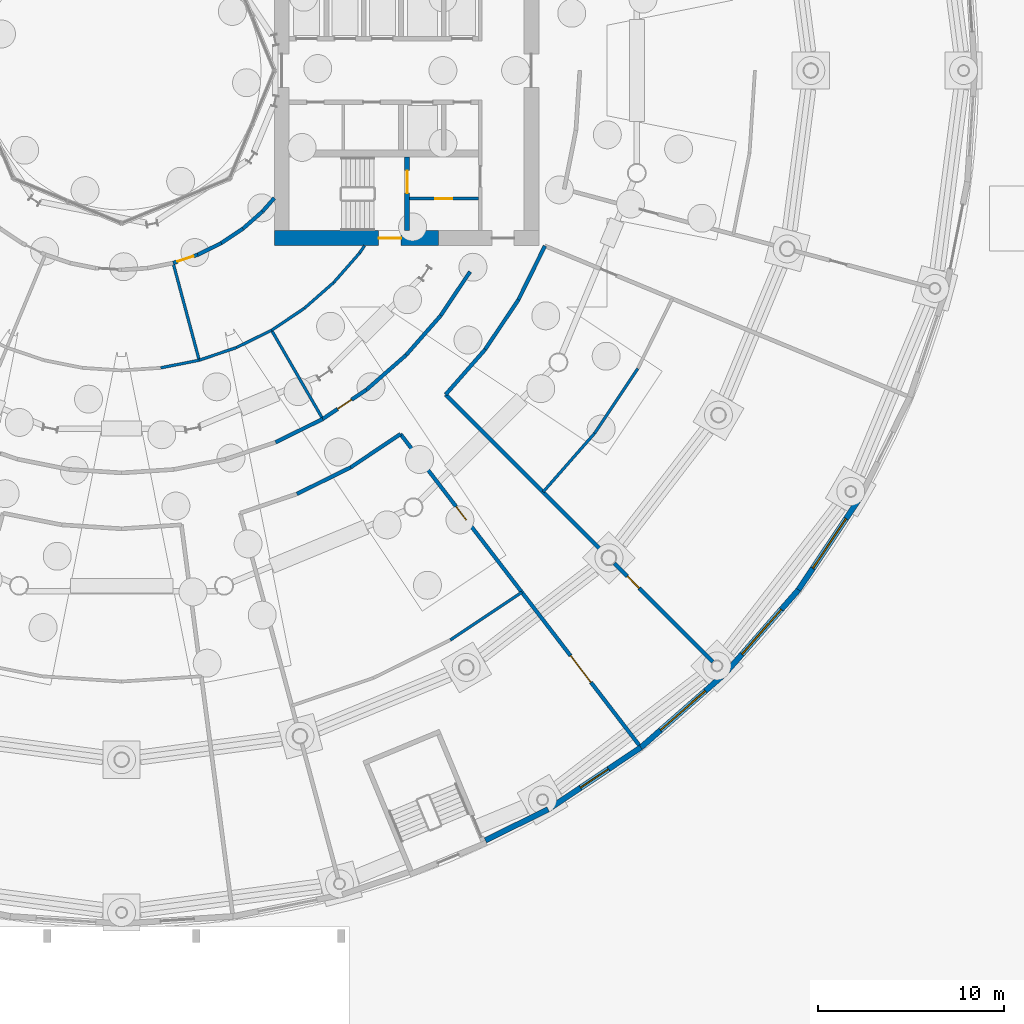
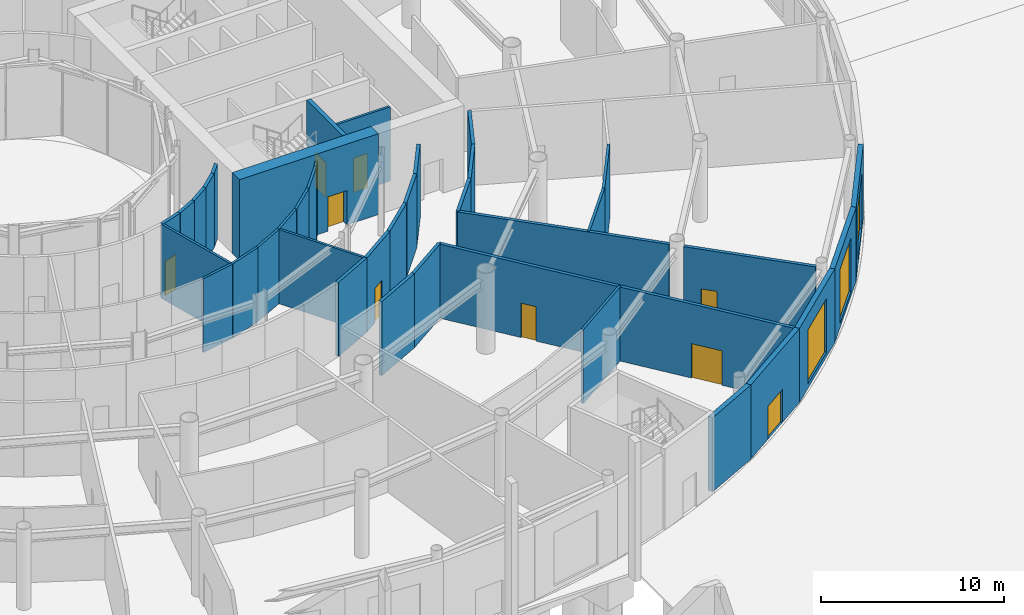
# One storey, part 20 of 41: 38 walls, 9 doors, 3 windows, 12 openings.
"""IFC4 building model written with IfcOpenShell, lengths in metres."""

from ifc_helpers import new_model, si_unit, direction, frame, frame_2d, origin, place, context, subcontext, project, spatial, rectangle, extrude, material, layer, layer_set, type_object, element, fill, save


model = new_model("IFC4")

# Units and contexts
model_context = context("Model", 3, precision=1e-05, world=origin(), true_north=direction((0.0, 1.0)))
body_context = subcontext(model_context, "Body", "Model", "MODEL_VIEW")
ifc_project = project(units=[si_unit("LENGTHUNIT", "METRE"), si_unit("AREAUNIT", "SQUARE_METRE"), si_unit("VOLUMEUNIT", "CUBIC_METRE"), si_unit("PLANEANGLEUNIT", "RADIAN"), si_unit("MASSUNIT", "GRAM", prefix="KILO")], contexts=[model_context])

# Site, building, storey
site_placement = place(None, origin())
site = spatial("IfcSite", under=ifc_project, at=site_placement, CompositionType="ELEMENT")
building_placement = place(site_placement, origin())
building = spatial("IfcBuilding", under=site, at=building_placement, Name="Maasbend Ring Residences", CompositionType="ELEMENT")
storey_placement = place(building_placement, origin())
storey = spatial("IfcBuildingStorey", under=building, at=storey_placement, Name="L00", CompositionType="ELEMENT", Elevation=0.0)

# Wall, opening, door
ifc_material_1 = material(Name="Concrete C70/85", Category="concrete")
ifc_layer_1 = layer(ifc_material_1, 0.25)
ifc_layer_set_1 = layer_set([ifc_layer_1], Name="Concrete C70/85")
wall_type_1 = type_object("IfcWallType", Name="CORE WALL 250 C70/85", PredefinedType="SHEAR", material=ifc_layer_set_1)
wall_1_placement = place(storey_placement, frame((15.324951171875, -8.60009765625, 0.0), z_axis=(0.0, 0.0, 1.0), x_axis=(0.0, 1.0, 0.0)))
wall_1 = element("IfcWall", 1, at=wall_1_placement, inside=storey, type_object=wall_type_1, Name="L00 core E wall STES", PredefinedType="SHEAR", context=body_context, shape_type="SweptSolid", body=[
    extrude(rectangle(XDim=3.9501953125, YDim=0.25, at=frame_2d((1.97509765625, 0.0))), origin(), (0.0, 0.0, 1.0), 5.39990234375),
])
opening_1_placement = place(wall_1_placement, frame((2.02490234375, 0.0, 0.0)))
opening_1 = element("IfcOpeningElement", 2, at=opening_1_placement, cuts=wall_1, Name="Opening D-E0012", PredefinedType="OPENING", context=body_context, shape_type="SweptSolid", body=[
    extrude(rectangle(XDim=1.199951171875, YDim=2.300048828125, at=frame_2d((0.60009765625, 1.14990234375))), frame((0.0, 0.135009765625, 0.0), z_axis=(0.0, -1.0, 0.0), x_axis=(1.0, 0.0, 0.0)), (0.0, 0.0, 1.0), 0.27001953125),
])
ifc_material_2 = material(Name="Steel, powder coated", Category="steel")
door_type_1 = type_object("IfcDoorType", Name="STAIR DOOR 1200 X 2300 FD60", OperationType="NOTDEFINED", PredefinedType="DOOR", material=ifc_material_2)
door_1_placement = place(opening_1_placement, origin())
door_1 = element("IfcDoor", 3, at=door_1_placement, inside=storey, type_object=door_type_1, Name="Stair door ST-E L00", OperationType="SINGLE_SWING_LEFT", OverallHeight=2.300048828125, OverallWidth=1.199951171875, PredefinedType="DOOR", context=body_context, shape_type="SweptSolid", body=[
    extrude(rectangle(XDim=1.199951171875, YDim=2.300048828125, at=frame_2d((0.60009765625, 1.14990234375))), frame((0.0, 0.02490234375, 0.0), z_axis=(0.0, -1.0, 0.0), x_axis=(1.0, 0.0, 0.0)), (0.0, 0.0, 1.0), 0.050048828125),
])
fill(opening_1, door_1)

ifc_material_3 = material(Name="Concrete C70/85", Category="concrete")
ifc_layer_2 = layer(ifc_material_3, 0.800048828125)
ifc_layer_set_2 = layer_set([ifc_layer_2], Name="Concrete C70/85")
wall_type_2 = type_object("IfcWallType", Name="CORE WALL 800 C70/85", PredefinedType="SHEAR", material=ifc_layer_set_2)
wall_2_placement = place(storey_placement, frame((17.0, -9.0, 0.0), z_axis=(0.0, 0.0, 1.0), x_axis=(-1.0, 0.0, 0.0)))
wall_2 = element("IfcWall", 4, at=wall_2_placement, inside=storey, type_object=wall_type_2, Name="L00 core E wall PSA", PredefinedType="SHEAR", context=body_context, shape_type="SweptSolid", body=[
    extrude(rectangle(XDim=8.800048828125, YDim=0.800048828125, at=frame_2d((4.39990234375, 0.0))), origin(), (0.0, 0.0, 1.0), 5.39990234375),
])
opening_2_placement = place(wall_2_placement, frame((2.0, 0.0, 0.0)))
opening_2 = element("IfcOpeningElement", 5, at=opening_2_placement, cuts=wall_2, Name="Opening D-E0020", PredefinedType="OPENING", context=body_context, shape_type="SweptSolid", body=[
    extrude(rectangle(XDim=1.199951171875, YDim=2.300048828125, at=frame_2d((0.60009765625, 1.14990234375))), frame((0.0, 0.41015625, 0.0), z_axis=(0.0, -1.0, 0.0), x_axis=(1.0, 0.0, 0.0)), (0.0, 0.0, 1.0), 0.820068359375),
])
door_2_placement = place(opening_2_placement, origin())
door_2 = element("IfcDoor", 6, at=door_2_placement, inside=storey, type_object=door_type_1, Name="Stair door ST-E L00", OperationType="SINGLE_SWING_RIGHT", OverallHeight=2.300048828125, OverallWidth=1.199951171875, PredefinedType="DOOR", context=body_context, shape_type="SweptSolid", body=[
    extrude(rectangle(XDim=1.199951171875, YDim=2.300048828125, at=frame_2d((0.60009765625, 1.14990234375))), frame((0.0, 0.02490234375, 0.0), z_axis=(0.0, -1.0, 0.0), x_axis=(1.0, 0.0, 0.0)), (0.0, 0.0, 1.0), 0.050048828125),
])
fill(opening_2, door_2)

# Walls
ifc_material_4 = material(Name="Concrete C30/37", Category="concrete")
ifc_layer_3 = layer(ifc_material_4, 0.199951171875)
ifc_layer_set_3 = layer_set([ifc_layer_3], Name="Concrete C30/37")
wall_type_3 = type_object("IfcWallType", Name="CORRIDOR WALL 200 CONCRETE", PredefinedType="PARTITIONING", material=ifc_layer_set_3)
wall_3_placement = place(storey_placement, frame((9.4140625, -22.72705078125, 0.0), z_axis=(0.0, 0.0, 1.0), x_axis=(0.896886949195, 0.442259878763, 0.0)))
element("IfcWall", 7, at=wall_3_placement, inside=storey, type_object=wall_type_3, Name="U-L00-w030", PredefinedType="PARTITIONING", context=body_context, shape_type="SweptSolid", body=[
    extrude(rectangle(XDim=3.2177734375, YDim=0.199951171875, at=frame_2d((1.60888671875, 0.0))), origin(), (0.0, 0.0, 1.0), 4.949951171875),
])
wall_4_placement = place(storey_placement, frame((12.300048828125, -21.303955078125, 0.0), z_axis=(0.0, 0.0, 1.0), x_axis=(0.831501361433, 0.555522714148, 0.0)))
element("IfcWall", 8, at=wall_4_placement, inside=storey, type_object=wall_type_3, Name="U-L00-w031", PredefinedType="PARTITIONING", context=body_context, shape_type="SweptSolid", body=[
    extrude(rectangle(XDim=3.21826171875, YDim=0.199951171875, at=frame_2d((1.609130859375, 0.0))), origin(), (0.0, 0.0, 1.0), 4.949951171875),
])
wall_5_placement = place(storey_placement, frame((17.39501953125, -17.39501953125, 0.0), z_axis=(0.0, 0.0, 1.0), x_axis=(0.659299366608, 0.751880539175, 0.0)))
element("IfcWall", 9, at=wall_5_placement, inside=storey, type_object=wall_type_3, Name="U-L00-w032", PredefinedType="PARTITIONING", context=body_context, shape_type="SweptSolid", body=[
    extrude(rectangle(XDim=3.21728515625, YDim=0.199951171875, at=frame_2d((1.608642578125, 0.0))), origin(), (0.0, 0.0, 1.0), 4.949951171875),
])
wall_6_placement = place(storey_placement, frame((19.51611328125, -14.97607421875, 0.0), z_axis=(0.0, 0.0, 1.0), x_axis=(0.555522714148, 0.831501361433, 0.0)))
element("IfcWall", 10, at=wall_6_placement, inside=storey, type_object=wall_type_3, Name="U-L00-w033", PredefinedType="PARTITIONING", context=body_context, shape_type="SweptSolid", body=[
    extrude(rectangle(XDim=3.21826171875, YDim=0.199951171875, at=frame_2d((1.609130859375, 0.0))), origin(), (0.0, 0.0, 1.0), 4.949951171875),
])
wall_7_placement = place(storey_placement, frame((21.303955078125, -12.300048828125, 0.0), z_axis=(0.0, 0.0, 1.0), x_axis=(0.442259878763, 0.896886949195, 0.0)))
element("IfcWall", 11, at=wall_7_placement, inside=storey, type_object=wall_type_3, Name="U-L00-w034", PredefinedType="PARTITIONING", context=body_context, shape_type="SweptSolid", body=[
    extrude(rectangle(XDim=3.2177734375, YDim=0.199951171875, at=frame_2d((1.60888671875, 0.0))), origin(), (0.0, 0.0, 1.0), 4.949951171875),
])
wall_8_placement = place(storey_placement, frame((8.26611328125, -19.9560546875, 0.0), z_axis=(0.0, 0.0, 1.0), x_axis=(0.896816398134, 0.442402924988, 0.0)))
element("IfcWall", 12, at=wall_8_placement, inside=storey, type_object=wall_type_3, Name="U-L00-w048", PredefinedType="PARTITIONING", context=body_context, shape_type="SweptSolid", body=[
    extrude(rectangle(XDim=2.825439453125, YDim=0.199951171875, at=frame_2d((1.41259765625, 0.0))), origin(), (0.0, 0.0, 1.0), 4.949951171875),
])

# Wall, opening, door
wall_9_placement = place(storey_placement, frame((10.800048828125, -18.7060546875, 0.0), z_axis=(0.0, 0.0, 1.0), x_axis=(0.831371669473, 0.55571678686, 0.0)))
wall_9 = element("IfcWall", 13, at=wall_9_placement, inside=storey, type_object=wall_type_3, Name="U-L00-w049", PredefinedType="PARTITIONING", context=body_context, shape_type="SweptSolid", body=[
    extrude(rectangle(XDim=2.8251953125, YDim=0.199951171875, at=frame_2d((1.41259765625, 0.0))), origin(), (0.0, 0.0, 1.0), 4.949951171875),
])
opening_3_placement = place(wall_9_placement, frame((0.962890625, 0.0, 0.0)))
opening_3 = element("IfcOpeningElement", 14, at=opening_3_placement, cuts=wall_9, Name="Opening D-0017", PredefinedType="OPENING", context=body_context, shape_type="SweptSolid", body=[
    extrude(rectangle(XDim=0.89990234375, YDim=2.300048828125, at=frame_2d((0.449951171875, 1.14990234375))), frame((0.0, 0.10986328125, 0.0), z_axis=(0.0, -1.0, 0.0), x_axis=(1.0, 0.0, 0.0)), (0.0, 0.0, 1.0), 0.219970703125),
])
ifc_material_5 = material(Name="Steel, fire-rated, painted", Category="steel")
door_type_2 = type_object("IfcDoorType", Name="SERVICE DOOR 900 X 2300 FIRE-RATED", OperationType="NOTDEFINED", PredefinedType="DOOR", material=ifc_material_5)
door_3_placement = place(opening_3_placement, origin())
door_3 = element("IfcDoor", 15, at=door_3_placement, inside=storey, type_object=door_type_2, Name="D-0017", OperationType="SINGLE_SWING_RIGHT", OverallHeight=2.300048828125, OverallWidth=0.89990234375, PredefinedType="DOOR", context=body_context, shape_type="SweptSolid", body=[
    extrude(rectangle(XDim=0.89990234375, YDim=2.300048828125, at=frame_2d((0.449951171875, 1.14990234375))), frame((0.0, 0.02490234375, 0.0), z_axis=(0.0, -1.0, 0.0), x_axis=(1.0, 0.0, 0.0)), (0.0, 0.0, 1.0), 0.050048828125),
])
fill(opening_3, door_3)

# Walls
for number, where, z_axis, x_axis, name in (
    (16, (13.14892578125, -17.135986328125, 0.0), (0.0, 0.0, 1.0), (0.752105457459, 0.659042776199, 0.0), "U-L00-w050"),
    (17, (15.27392578125, -15.27392578125, 0.0), (0.0, 0.0, 1.0), (0.659042776199, 0.752105457459, 0.0), "U-L00-w051"),
):
    element("IfcWall", number, at=place(storey_placement, frame(where, z_axis=z_axis, x_axis=x_axis)), inside=storey, type_object=wall_type_3, Name=name, PredefinedType="PARTITIONING", context=body_context, shape_type="SweptSolid", body=[
        extrude(rectangle(XDim=2.825439453125, YDim=0.199951171875, at=frame_2d((1.41259765625, 0.0))), origin(), (0.0, 0.0, 1.0), 4.949951171875),
    ])
wall_10_placement = place(storey_placement, frame((17.135986328125, -13.14892578125, 0.0), z_axis=(0.0, 0.0, 1.0), x_axis=(0.55571678686, 0.831371669473, 0.0)))
element("IfcWall", 18, at=wall_10_placement, inside=storey, type_object=wall_type_3, Name="U-L00-w052", PredefinedType="PARTITIONING", context=body_context, shape_type="SweptSolid", body=[
    extrude(rectangle(XDim=2.8251953125, YDim=0.199951171875, at=frame_2d((1.41259765625, 0.0))), origin(), (0.0, 0.0, 1.0), 4.949951171875),
])

# Wall, opening, door
wall_11_placement = place(storey_placement, frame((2.76904296875, -10.3349609375, 0.0), z_axis=(0.0, 0.0, 1.0), x_axis=(0.947172777338, 0.320723759441, 0.0)))
wall_11 = element("IfcWall", 19, at=wall_11_placement, inside=storey, type_object=wall_type_3, Name="U-L00-w075", PredefinedType="PARTITIONING", context=body_context, shape_type="SweptSolid", body=[
    extrude(rectangle(XDim=1.39990234375, YDim=0.199951171875, at=frame_2d((0.699951171875, 0.0))), origin(), (0.0, 0.0, 1.0), 4.949951171875),
])
opening_4_placement = place(wall_11_placement, frame((0.25, 0.0, 0.0)))
opening_4 = element("IfcOpeningElement", 20, at=opening_4_placement, cuts=wall_11, Name="Opening D-0006", PredefinedType="OPENING", context=body_context, shape_type="SweptSolid", body=[
    extrude(rectangle(XDim=0.89990234375, YDim=2.300048828125, at=frame_2d((0.449951171875, 1.14990234375))), frame((0.0, 0.10986328125, 0.0), z_axis=(0.0, -1.0, 0.0), x_axis=(1.0, 0.0, 0.0)), (0.0, 0.0, 1.0), 0.219970703125),
])
door_4_placement = place(opening_4_placement, origin())
door_4 = element("IfcDoor", 21, at=door_4_placement, inside=storey, type_object=door_type_2, Name="D-0006", OperationType="SINGLE_SWING_LEFT", OverallHeight=2.300048828125, OverallWidth=0.89990234375, PredefinedType="DOOR", context=body_context, shape_type="SweptSolid", body=[
    extrude(rectangle(XDim=0.89990234375, YDim=2.300048828125, at=frame_2d((0.449951171875, 1.14990234375))), frame((0.0, 0.02490234375, 0.0), z_axis=(0.0, -1.0, 0.0), x_axis=(1.0, 0.0, 0.0)), (0.0, 0.0, 1.0), 0.050048828125),
])
fill(opening_4, door_4)

# Walls
wall_12_placement = place(storey_placement, frame((4.094970703125, -9.885986328125, 0.0), z_axis=(0.0, 0.0, 1.0), x_axis=(0.896613890545, 0.442813201341, 0.0)))
element("IfcWall", 22, at=wall_12_placement, inside=storey, type_object=wall_type_3, Name="U-L00-w076", PredefinedType="PARTITIONING", context=body_context, shape_type="SweptSolid", body=[
    extrude(rectangle(XDim=1.39990234375, YDim=0.199951171875, at=frame_2d((0.699951171875, 0.0))), origin(), (0.0, 0.0, 1.0), 4.949951171875),
])
wall_13_placement = place(storey_placement, frame((5.35009765625, -9.26611328125, 0.0), z_axis=(0.0, 0.0, 1.0), x_axis=(0.831647476803, 0.555303947696, 0.0)))
element("IfcWall", 23, at=wall_13_placement, inside=storey, type_object=wall_type_3, Name="U-L00-w077", PredefinedType="PARTITIONING", context=body_context, shape_type="SweptSolid", body=[
    extrude(rectangle(XDim=1.3994140625, YDim=0.199951171875, at=frame_2d((0.69970703125, 0.0))), origin(), (0.0, 0.0, 1.0), 4.949951171875),
])
wall_14_placement = place(storey_placement, frame((6.513916015625, -8.489013671875, 0.0), z_axis=(0.0, 0.0, 1.0), x_axis=(0.751657456611, 0.65955368843, 0.0)))
element("IfcWall", 24, at=wall_14_placement, inside=storey, type_object=wall_type_3, Name="U-L00-w078", PredefinedType="PARTITIONING", context=body_context, shape_type="SweptSolid", body=[
    extrude(rectangle(XDim=1.399658203125, YDim=0.199951171875, at=frame_2d((0.69970703125, 0.0))), origin(), (0.0, 0.0, 1.0), 4.949951171875),
])
wall_15_placement = place(storey_placement, frame((7.56591796875, -7.56591796875, 0.0), z_axis=(0.0, 0.0, 1.0), x_axis=(0.659384951594, 0.751805483893, 0.0)))
element("IfcWall", 25, at=wall_15_placement, inside=storey, type_object=wall_type_3, Name="U-L00-w079", PredefinedType="PARTITIONING", context=body_context, shape_type="SweptSolid", body=[
    extrude(rectangle(XDim=0.961669921875, YDim=0.199951171875, at=frame_2d((0.48095703125, 0.0))), origin(), (0.0, 0.0, 1.0), 4.949951171875),
])

# Wall, openings, doors
wall_16_placement = place(storey_placement, frame((14.972900390625, -19.51806640625, 0.0), z_axis=(0.0, 0.0, 1.0), x_axis=(0.608732875759, -0.793375249154, 0.0)))
wall_16 = element("IfcWall", 26, at=wall_16_placement, inside=storey, type_object=wall_type_3, Name="U-L00-w121", PredefinedType="PARTITIONING", context=body_context, shape_type="SweptSolid", body=[
    extrude(rectangle(XDim=21.08837890625, YDim=0.199951171875, at=frame_2d((10.544189453125, 0.0))), origin(), (0.0, 0.0, 1.0), 4.949951171875),
])
opening_5_placement = place(wall_16_placement, frame((4.89990234375, 0.0, 0.0)))
opening_5 = element("IfcOpeningElement", 27, at=opening_5_placement, cuts=wall_16, Name="Opening D-0041", PredefinedType="OPENING", context=body_context, shape_type="SweptSolid", body=[
    extrude(rectangle(XDim=0.89990234375, YDim=2.300048828125, at=frame_2d((0.449951171875, 1.14990234375))), frame((0.0, 0.10986328125, 0.0), z_axis=(0.0, -1.0, 0.0), x_axis=(1.0, 0.0, 0.0)), (0.0, 0.0, 1.0), 0.219970703125),
])
opening_6_placement = place(wall_16_placement, frame((14.993896484375, 0.0, 0.0)))
opening_6 = element("IfcOpeningElement", 28, at=opening_6_placement, cuts=wall_16, Name="Opening D-0042", PredefinedType="OPENING", context=body_context, shape_type="SweptSolid", body=[
    extrude(rectangle(XDim=1.800048828125, YDim=2.300048828125, at=frame_2d((0.89990234375, 1.14990234375))), frame((0.0, 0.10986328125, 0.0), z_axis=(0.0, -1.0, 0.0), x_axis=(1.0, 0.0, 0.0)), (0.0, 0.0, 1.0), 0.219970703125),
])
ifc_material_6 = material(Name="Timber, painted", Category="wood")
door_type_3 = type_object("IfcDoorType", Name="DOUBLE DOOR 1800 X 2300", OperationType="NOTDEFINED", PredefinedType="DOOR", material=ifc_material_6)
door_5_placement = place(opening_6_placement, origin())
door_5 = element("IfcDoor", 29, at=door_5_placement, inside=storey, type_object=door_type_3, Name="D-0042", OperationType="DOUBLE_DOOR_SINGLE_SWING", OverallHeight=2.300048828125, OverallWidth=1.800048828125, PredefinedType="DOOR", context=body_context, shape_type="SweptSolid", body=[
    extrude(rectangle(XDim=1.800048828125, YDim=2.300048828125, at=frame_2d((0.89990234375, 1.14990234375))), frame((0.0, 0.02490234375, 0.0), z_axis=(0.0, -1.0, 0.0), x_axis=(1.0, 0.0, 0.0)), (0.0, 0.0, 1.0), 0.050048828125),
])
fill(opening_6, door_5)
door_6_placement = place(opening_5_placement, origin())
door_6 = element("IfcDoor", 30, at=door_6_placement, inside=storey, type_object=door_type_2, Name="D-0041", OperationType="SINGLE_SWING_LEFT", OverallHeight=2.300048828125, OverallWidth=0.89990234375, PredefinedType="DOOR", context=body_context, shape_type="SweptSolid", body=[
    extrude(rectangle(XDim=0.89990234375, YDim=2.300048828125, at=frame_2d((0.449951171875, 1.14990234375))), frame((0.0, 0.02490234375, 0.0), z_axis=(0.0, -1.0, 0.0), x_axis=(1.0, 0.0, 0.0)), (0.0, 0.0, 1.0), 0.050048828125),
])
fill(opening_5, door_6)

# Wall
wall_17_placement = place(storey_placement, frame((17.39501953125, -17.39501953125, 0.0), z_axis=(0.0, 0.0, 1.0), x_axis=(0.707106781187, -0.707106781187, 0.0)))
element("IfcWall", 31, at=wall_17_placement, inside=storey, type_object=wall_type_3, Name="U-L00-w122", PredefinedType="PARTITIONING", context=body_context, shape_type="SweptSolid", body=[
    extrude(rectangle(XDim=11.993896484375, YDim=0.199951171875, at=frame_2d((5.9970703125, 0.0))), origin(), (0.0, 0.0, 1.0), 4.949951171875),
])

# Wall, opening, door
wall_18_placement = place(storey_placement, frame((26.449951171875, -26.449951171875, 0.0), z_axis=(0.0, 0.0, 1.0), x_axis=(0.707106781187, -0.707106781187, 0.0)))
wall_18 = element("IfcWall", 32, at=wall_18_placement, inside=storey, type_object=wall_type_3, Name="U-L00-w129", PredefinedType="PARTITIONING", context=body_context, shape_type="SweptSolid", body=[
    extrude(rectangle(XDim=7.489990234375, YDim=0.199951171875, at=frame_2d((3.7451171875, 0.0))), origin(), (0.0, 0.0, 1.0), 4.949951171875),
])
opening_7_placement = place(wall_18_placement, frame((0.993896484375, 0.0, 0.0)))
opening_7 = element("IfcOpeningElement", 33, at=opening_7_placement, cuts=wall_18, Name="Opening D-0044", PredefinedType="OPENING", context=body_context, shape_type="SweptSolid", body=[
    extrude(rectangle(XDim=0.89990234375, YDim=2.300048828125, at=frame_2d((0.449951171875, 1.14990234375))), frame((0.0, 0.10986328125, 0.0), z_axis=(0.0, -1.0, 0.0), x_axis=(1.0, 0.0, 0.0)), (0.0, 0.0, 1.0), 0.219970703125),
])
door_7_placement = place(opening_7_placement, origin())
door_7 = element("IfcDoor", 34, at=door_7_placement, inside=storey, type_object=door_type_2, Name="D-0044", OperationType="SINGLE_SWING_LEFT", OverallHeight=2.300048828125, OverallWidth=0.89990234375, PredefinedType="DOOR", context=body_context, shape_type="SweptSolid", body=[
    extrude(rectangle(XDim=0.89990234375, YDim=2.300048828125, at=frame_2d((0.449951171875, 1.14990234375))), frame((0.0, 0.02490234375, 0.0), z_axis=(0.0, -1.0, 0.0), x_axis=(1.0, 0.0, 0.0)), (0.0, 0.0, 1.0), 0.050048828125),
])
fill(opening_7, door_7)

# Wall
ifc_material_7 = material(Name="Pale anodised aluminium panel", Category="aluminium")
ifc_layer_4 = layer(ifc_material_7, 0.300048828125)
ifc_layer_set_4 = layer_set([ifc_layer_4], Name="EW-BASE")
wall_type_4 = type_object("IfcWallType", Name="EW-BASE", PredefinedType="SOLIDWALL", material=ifc_layer_set_4)
wall_19_placement = place(storey_placement, frame((19.527099609375, -41.326904296875, 0.0), z_axis=(0.0, 0.0, 1.0), x_axis=(0.896919197762, 0.44219447383, 0.0)))
element("IfcWall", 35, at=wall_19_placement, inside=storey, type_object=wall_type_4, Name="Base block wall 40a", PredefinedType="SOLIDWALL", context=body_context, shape_type="SweptSolid", body=[
    extrude(rectangle(XDim=3.760498046875, YDim=0.300048828125, at=frame_2d((1.88037109375, 0.0))), origin(), (0.0, 0.0, 1.0), 4.949951171875),
])

# Wall, opening, door
wall_20_placement = place(storey_placement, frame((22.89990234375, -39.6640625, 0.0), z_axis=(0.0, 0.0, 1.0), x_axis=(0.831485590074, 0.55554631985, 0.0)))
wall_20 = element("IfcWall", 36, at=wall_20_placement, inside=storey, type_object=wall_type_4, Name="Base block wall 41", PredefinedType="SOLIDWALL", context=body_context, shape_type="SweptSolid", body=[
    extrude(rectangle(XDim=5.99072265625, YDim=0.300048828125, at=frame_2d((2.995361328125, 0.0))), origin(), (0.0, 0.0, 1.0), 4.949951171875),
])
opening_8_placement = place(wall_20_placement, frame((2.095458984375, 0.0, 0.0)))
opening_8 = element("IfcOpeningElement", 37, at=opening_8_placement, cuts=wall_20, Name="Opening D-EX", PredefinedType="OPENING", context=body_context, shape_type="SweptSolid", body=[
    extrude(rectangle(XDim=1.800048828125, YDim=2.199951171875, at=frame_2d((0.89990234375, 1.10009765625))), frame((0.0, 0.16015625, 0.0), z_axis=(0.0, -1.0, 0.0), x_axis=(1.0, 0.0, 0.0)), (0.0, 0.0, 1.0), 0.320068359375),
])
ifc_material_8 = material(Name="Aluminium and clear glass", Category="aluminium")
door_type_4 = type_object("IfcDoorType", Name="D-EX", OperationType="DOUBLE_DOOR_SINGLE_SWING", PredefinedType="DOOR", material=ifc_material_8)
door_8_placement = place(opening_8_placement, origin())
door_8 = element("IfcDoor", 38, at=door_8_placement, inside=storey, type_object=door_type_4, Name="Exit door 41", OperationType="SINGLE_SWING_LEFT", OverallHeight=2.199951171875, OverallWidth=1.800048828125, PredefinedType="DOOR", context=body_context, shape_type="SweptSolid", body=[
    extrude(rectangle(XDim=1.800048828125, YDim=2.199951171875, at=frame_2d((0.89990234375, 1.10009765625))), frame((0.0, 0.02490234375, 0.0), z_axis=(0.0, -1.0, 0.0), x_axis=(1.0, 0.0, 0.0)), (0.0, 0.0, 1.0), 0.050048828125),
])
fill(opening_8, door_8)

# Wall, opening, window
wall_21_placement = place(storey_placement, frame((27.881103515625, -36.3359375, 0.0), z_axis=(0.0, 0.0, 1.0), x_axis=(0.751748126189, 0.659450342916, 0.0)))
wall_21 = element("IfcWall", 39, at=wall_21_placement, inside=storey, type_object=wall_type_4, Name="Base block wall 42", PredefinedType="SOLIDWALL", context=body_context, shape_type="SweptSolid", body=[
    extrude(rectangle(XDim=5.9912109375, YDim=0.300048828125, at=frame_2d((2.99560546875, 0.0))), origin(), (0.0, 0.0, 1.0), 4.949951171875),
])
opening_9_placement = place(wall_21_placement, frame((1.3955078125, 0.0, 0.300048828125)))
opening_9 = element("IfcOpeningElement", 40, at=opening_9_placement, cuts=wall_21, Name="Opening W-SF", PredefinedType="OPENING", context=body_context, shape_type="SweptSolid", body=[
    extrude(rectangle(XDim=3.199951171875, YDim=3.60009765625, at=frame_2d((1.60009765625, 1.800048828125))), frame((0.0, 0.16015625, 0.0), z_axis=(0.0, -1.0, 0.0), x_axis=(1.0, 0.0, 0.0)), (0.0, 0.0, 1.0), 0.320068359375),
])
ifc_material_9 = material(Name="Aluminium and clear glass", Category="aluminium")
window_type = type_object("IfcWindowType", Name="W-SF", PartitioningType="SINGLE_PANEL", PredefinedType="WINDOW", material=ifc_material_9)
window_1_placement = place(opening_9_placement, origin())
window_1 = element("IfcWindow", 41, at=window_1_placement, inside=storey, type_object=window_type, Name="Shopfront 42", OverallHeight=3.60009765625, OverallWidth=3.199951171875, PartitioningType="SINGLE_PANEL", PredefinedType="WINDOW", context=body_context, shape_type="SweptSolid", body=[
    extrude(rectangle(XDim=3.199951171875, YDim=3.60009765625, at=frame_2d((1.60009765625, 1.800048828125))), frame((0.0, 0.030029296875, 0.0), z_axis=(0.0, -1.0, 0.0), x_axis=(1.0, 0.0, 0.0)), (0.0, 0.0, 1.0), 0.06005859375),
])
fill(opening_9, window_1)

wall_22_placement = place(storey_placement, frame((32.385009765625, -32.385009765625, 0.0), z_axis=(0.0, 0.0, 1.0), x_axis=(0.659450342916, 0.751748126189, 0.0)))
wall_22 = element("IfcWall", 42, at=wall_22_placement, inside=storey, type_object=wall_type_4, Name="Base block wall 43", PredefinedType="SOLIDWALL", context=body_context, shape_type="SweptSolid", body=[
    extrude(rectangle(XDim=5.9912109375, YDim=0.300048828125, at=frame_2d((2.99560546875, 0.0))), origin(), (0.0, 0.0, 1.0), 4.949951171875),
])
opening_10_placement = place(wall_22_placement, frame((1.3955078125, 0.0, 0.300048828125)))
opening_10 = element("IfcOpeningElement", 43, at=opening_10_placement, cuts=wall_22, Name="Opening W-SF", PredefinedType="OPENING", context=body_context, shape_type="SweptSolid", body=[
    extrude(rectangle(XDim=3.199951171875, YDim=3.60009765625, at=frame_2d((1.60009765625, 1.800048828125))), frame((0.0, 0.16015625, 0.0), z_axis=(0.0, -1.0, 0.0), x_axis=(1.0, 0.0, 0.0)), (0.0, 0.0, 1.0), 0.320068359375),
])
window_2_placement = place(opening_10_placement, origin())
window_2 = element("IfcWindow", 44, at=window_2_placement, inside=storey, type_object=window_type, Name="Shopfront 43", OverallHeight=3.60009765625, OverallWidth=3.199951171875, PartitioningType="SINGLE_PANEL", PredefinedType="WINDOW", context=body_context, shape_type="SweptSolid", body=[
    extrude(rectangle(XDim=3.199951171875, YDim=3.60009765625, at=frame_2d((1.60009765625, 1.800048828125))), frame((0.0, 0.030029296875, 0.0), z_axis=(0.0, -1.0, 0.0), x_axis=(1.0, 0.0, 0.0)), (0.0, 0.0, 1.0), 0.06005859375),
])
fill(opening_10, window_2)

wall_23_placement = place(storey_placement, frame((36.3359375, -27.881103515625, 0.0), z_axis=(0.0, 0.0, 1.0), x_axis=(0.55554631985, 0.831485590074, 0.0)))
wall_23 = element("IfcWall", 45, at=wall_23_placement, inside=storey, type_object=wall_type_4, Name="Base block wall 44", PredefinedType="SOLIDWALL", context=body_context, shape_type="SweptSolid", body=[
    extrude(rectangle(XDim=5.99072265625, YDim=0.300048828125, at=frame_2d((2.995361328125, 0.0))), origin(), (0.0, 0.0, 1.0), 4.949951171875),
])
opening_11_placement = place(wall_23_placement, frame((1.3955078125, 0.0, 0.300048828125)))
opening_11 = element("IfcOpeningElement", 46, at=opening_11_placement, cuts=wall_23, Name="Opening W-SF", PredefinedType="OPENING", context=body_context, shape_type="SweptSolid", body=[
    extrude(rectangle(XDim=3.199951171875, YDim=3.60009765625, at=frame_2d((1.60009765625, 1.800048828125))), frame((0.0, 0.16015625, 0.0), z_axis=(0.0, -1.0, 0.0), x_axis=(1.0, 0.0, 0.0)), (0.0, 0.0, 1.0), 0.320068359375),
])
window_3_placement = place(opening_11_placement, origin())
window_3 = element("IfcWindow", 47, at=window_3_placement, inside=storey, type_object=window_type, Name="Shopfront 44", OverallHeight=3.60009765625, OverallWidth=3.199951171875, PartitioningType="SINGLE_PANEL", PredefinedType="WINDOW", context=body_context, shape_type="SweptSolid", body=[
    extrude(rectangle(XDim=3.199951171875, YDim=3.60009765625, at=frame_2d((1.60009765625, 1.800048828125))), frame((0.0, 0.030029296875, 0.0), z_axis=(0.0, -1.0, 0.0), x_axis=(1.0, 0.0, 0.0)), (0.0, 0.0, 1.0), 0.06005859375),
])
fill(opening_11, window_3)

# Wall, opening, door
ifc_material_10 = material(Name="Gypsum board on steel studs", Category="steel")
ifc_layer_5 = layer(ifc_material_10, 0.14990234375)
ifc_layer_set_5 = layer_set([ifc_layer_5], Name="PARTITION 150 EI 60")
wall_type_5 = type_object("IfcWallType", Name="PARTITION 150 EI 60", PredefinedType="PARTITIONING", material=ifc_layer_set_5)
wall_24_placement = place(storey_placement, frame((15.449951171875, -6.875, 0.0), z_axis=(0.0, 0.0, 1.0), x_axis=(1.0, 0.0, 0.0)))
wall_24 = element("IfcWall", 48, at=wall_24_placement, inside=storey, type_object=wall_type_5, Name="L00 core E wall RHS", PredefinedType="PARTITIONING", context=body_context, shape_type="SweptSolid", body=[
    extrude(rectangle(XDim=3.699951171875, YDim=0.14990234375, at=frame_2d((1.85009765625, 0.0))), origin(), (0.0, 0.0, 1.0), 4.949951171875),
])
opening_12_placement = place(wall_24_placement, frame((1.39990234375, 0.0, 0.0)))
opening_12 = element("IfcOpeningElement", 49, at=opening_12_placement, cuts=wall_24, Name="Opening D-E0010", PredefinedType="OPENING", context=body_context, shape_type="SweptSolid", body=[
    extrude(rectangle(XDim=0.89990234375, YDim=2.300048828125, at=frame_2d((0.449951171875, 1.14990234375))), frame((0.0, 0.0849609375, 0.0), z_axis=(0.0, -1.0, 0.0), x_axis=(1.0, 0.0, 0.0)), (0.0, 0.0, 1.0), 0.169921875),
])
ifc_material_11 = material(Name="Steel, powder coated", Category="steel")
door_type_5 = type_object("IfcDoorType", Name="RISER DOOR 900 X 2300 FD60", OperationType="NOTDEFINED", PredefinedType="DOOR", material=ifc_material_11)
door_9_placement = place(opening_12_placement, origin())
door_9 = element("IfcDoor", 50, at=door_9_placement, inside=storey, type_object=door_type_5, Name="Riser door L00", OperationType="SINGLE_SWING_LEFT", OverallHeight=2.300048828125, OverallWidth=0.89990234375, PredefinedType="DOOR", context=body_context, shape_type="SweptSolid", body=[
    extrude(rectangle(XDim=0.89990234375, YDim=2.300048828125, at=frame_2d((0.449951171875, 1.14990234375))), frame((0.0, 0.02490234375, 0.0), z_axis=(0.0, -1.0, 0.0), x_axis=(1.0, 0.0, 0.0)), (0.0, 0.0, 1.0), 0.050048828125),
])
fill(opening_12, door_9)

# Walls
ifc_material_12 = material(Name="Gypsum board on steel studs", Category="steel")
ifc_layer_6 = layer(ifc_material_12, 0.14990234375)
ifc_layer_set_6 = layer_set([ifc_layer_6], Name="PARTITION 150 GYPSUM")
wall_type_6 = type_object("IfcWallType", Name="PARTITION 150 GYPSUM", PredefinedType="PARTITIONING", material=ifc_layer_set_6)
wall_25_placement = place(storey_placement, frame((17.64990234375, -30.571044921875, 0.0), z_axis=(0.0, 0.0, 1.0), x_axis=(0.83137457389, 0.555712441727, 0.0)))
element("IfcWall", 51, at=wall_25_placement, inside=storey, type_object=wall_type_6, Name="U-L00-w003", PredefinedType="PARTITIONING", context=body_context, shape_type="SweptSolid", body=[
    extrude(rectangle(XDim=4.61767578125, YDim=0.14990234375, at=frame_2d((2.308837890625, 0.0))), origin(), (0.0, 0.0, 1.0), 4.949951171875),
])
for number, where, z_axis, x_axis, name in (
    (52, (22.626953125, -22.626953125, 0.0), (0.0, 0.0, 1.0), (0.659371312937, 0.751817445711, 0.0), "U-L00-w013"),
    (53, (25.386962890625, -19.47998046875, 0.0), (0.0, 0.0, 1.0), (0.555682396942, 0.831394655822, 0.0), "U-L00-w014"),
):
    element("IfcWall", number, at=place(storey_placement, frame(where, z_axis=z_axis, x_axis=x_axis)), inside=storey, type_object=wall_type_6, Name=name, PredefinedType="PARTITIONING", context=body_context, shape_type="SweptSolid", body=[
        extrude(rectangle(XDim=4.185791015625, YDim=0.14990234375, at=frame_2d((2.0927734375, 0.0))), origin(), (0.0, 0.0, 1.0), 4.949951171875),
    ])
wall_26_placement = place(storey_placement, frame((2.10107421875, -15.9619140625, 0.0), z_axis=(0.0, 0.0, 1.0), x_axis=(0.980789636989, 0.195068418702, 0.0)))
element("IfcWall", 54, at=wall_26_placement, inside=storey, type_object=wall_type_6, Name="U-L00-w060", PredefinedType="PARTITIONING", context=body_context, shape_type="SweptSolid", body=[
    extrude(rectangle(XDim=2.1064453125, YDim=0.14990234375, at=frame_2d((1.05322265625, 0.0))), origin(), (0.0, 0.0, 1.0), 4.949951171875),
])
wall_27_placement = place(storey_placement, frame((4.1669921875, -15.551025390625, 0.0), z_axis=(0.0, 0.0, 1.0), x_axis=(0.94690623261, 0.321509854662, 0.0)))
element("IfcWall", 55, at=wall_27_placement, inside=storey, type_object=wall_type_6, Name="U-L00-w061", PredefinedType="PARTITIONING", context=body_context, shape_type="SweptSolid", body=[
    extrude(rectangle(XDim=2.105712890625, YDim=0.14990234375, at=frame_2d((1.052734375, 0.0))), origin(), (0.0, 0.0, 1.0), 4.949951171875),
])
for number, where, z_axis, x_axis, name in (
    (56, (6.160888671875, -14.8740234375, 0.0), (0.0, 0.0, 1.0), (0.897008779175, 0.442012726156, 0.0), "U-L00-w062"),
    (57, (8.050048828125, -13.943115234375, 0.0), (0.0, 0.0, 1.0), (0.831425547365, 0.555636175198, 0.0), "U-L00-w063"),
    (58, (9.801025390625, -12.77294921875, 0.0), (0.0, 0.0, 1.0), (0.751685505492, 0.659521721275, 0.0), "U-L00-w064"),
    (59, (11.384033203125, -11.384033203125, 0.0), (0.0, 0.0, 1.0), (0.659521721275, 0.751685505492, 0.0), "U-L00-w065"),
):
    element("IfcWall", number, at=place(storey_placement, frame(where, z_axis=z_axis, x_axis=x_axis)), inside=storey, type_object=wall_type_6, Name=name, PredefinedType="PARTITIONING", context=body_context, shape_type="SweptSolid", body=[
        extrude(rectangle(XDim=2.10595703125, YDim=0.14990234375, at=frame_2d((1.052978515625, 0.0))), origin(), (0.0, 0.0, 1.0), 4.949951171875),
    ])
wall_28_placement = place(storey_placement, frame((12.77294921875, -9.801025390625, 0.0), z_axis=(0.0, 0.0, 1.0), x_axis=(0.555634077892, 0.831426948977, 0.0)))
element("IfcWall", 60, at=wall_28_placement, inside=storey, type_object=wall_type_6, Name="U-L00-w066", PredefinedType="PARTITIONING", context=body_context, shape_type="SweptSolid", body=[
    extrude(rectangle(XDim=0.482421875, YDim=0.14990234375, at=frame_2d((0.2412109375, 0.0))), origin(), (0.0, 0.0, 1.0), 4.949951171875),
])
wall_29_placement = place(storey_placement, frame((2.76806640625, -10.3349609375, 0.0), z_axis=(0.0, 0.0, 1.0), x_axis=(0.25887242555, -0.96591152146, 0.0)))
element("IfcWall", 61, at=wall_29_placement, inside=storey, type_object=wall_type_6, Name="U-L00-w110", PredefinedType="PARTITIONING", context=body_context, shape_type="SweptSolid", body=[
    extrude(rectangle(XDim=5.400146484375, YDim=0.14990234375, at=frame_2d((2.7001953125, 0.0))), origin(), (0.0, 0.0, 1.0), 4.949951171875),
])
wall_30_placement = place(storey_placement, frame((8.050048828125, -13.943115234375, 0.0), z_axis=(0.0, 0.0, 1.0), x_axis=(0.500015767406, -0.866016300277, 0.0)))
element("IfcWall", 62, at=wall_30_placement, inside=storey, type_object=wall_type_6, Name="U-L00-w116", PredefinedType="PARTITIONING", context=body_context, shape_type="SweptSolid", body=[
    extrude(rectangle(XDim=5.499755859375, YDim=0.14990234375, at=frame_2d((2.75, 0.0))), origin(), (0.0, 0.0, 1.0), 4.949951171875),
])

save(model, "model.ifc")
